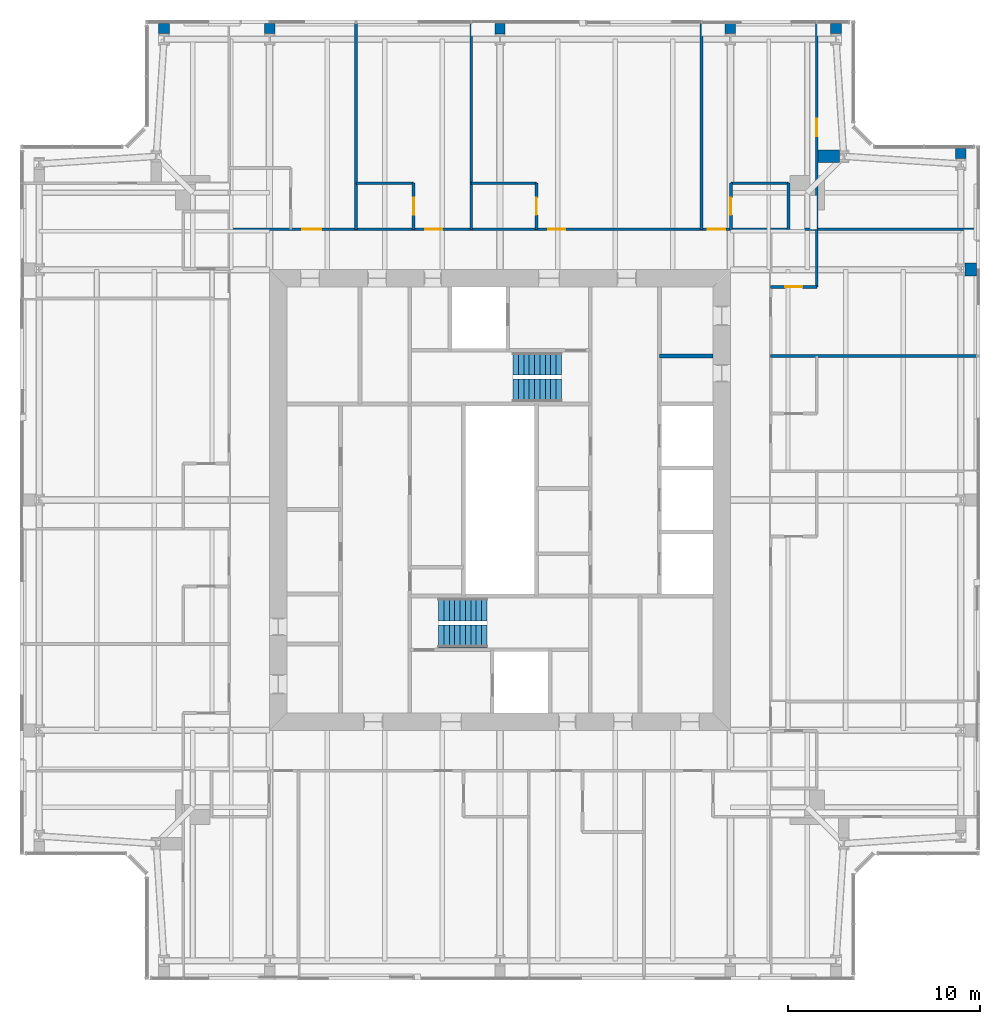
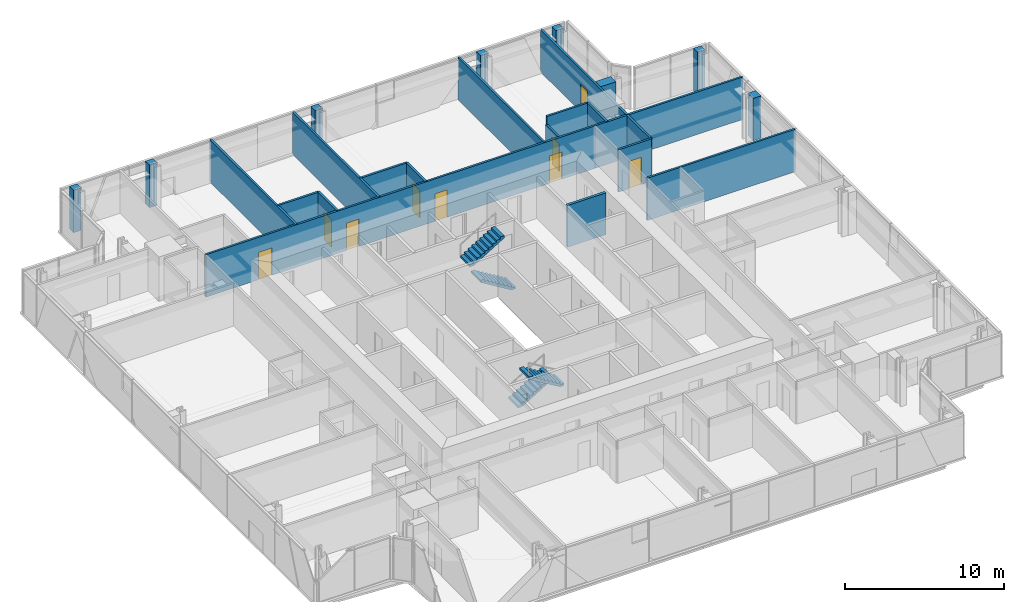
# One storey, part 15 of 18: 25 walls, 9 doors, 4 stair flights, 9 openings, 2 elements without a shape of their own.
"""IFC4 building model written with IfcOpenShell, lengths in metres."""

from ifc_helpers import new_model, si_unit, direction, frame, frame_2d, origin, place, context, subcontext, project, spatial, polyline, rectangle, outline, extrude, material, layer, layer_set, type_object, element, fill, aggregate, save


model = new_model("IFC4")

# Units and contexts
model_context = context("Model", 3, precision=1e-05, world=origin(), true_north=direction((0.0, 1.0)))
body_context = subcontext(model_context, "Body", "Model", "MODEL_VIEW")
ifc_project = project(units=[si_unit("LENGTHUNIT", "METRE"), si_unit("AREAUNIT", "SQUARE_METRE"), si_unit("VOLUMEUNIT", "CUBIC_METRE"), si_unit("PLANEANGLEUNIT", "RADIAN"), si_unit("MASSUNIT", "GRAM", prefix="KILO")], contexts=[model_context])

# Site, building, storey
site_placement = place(None, origin())
site = spatial("IfcSite", under=ifc_project, at=site_placement, CompositionType="ELEMENT")
building_placement = place(site_placement, origin())
building = spatial("IfcBuilding", under=site, at=building_placement, Name="Fenwick Lantern Interchange", CompositionType="ELEMENT")
storey_placement = place(building_placement, frame((0.0, 0.0, 262.800048828125)))
storey = spatial("IfcBuildingStorey", under=building, at=storey_placement, Name="L62", CompositionType="ELEMENT", Elevation=262.800048828125)

# Walls
ifc_material_1 = material(Name="Fire-rated gypsum board encasement on steel studs, 2 hour", Category="steel")
ifc_layer_1 = layer(ifc_material_1, 0.5419921875)
ifc_layer_set_1 = layer_set([ifc_layer_1], Name="COLUMN PIER 542")
wall_type_1 = type_object("IfcWallType", Name="COLUMN PIER 542", PredefinedType="PARTITIONING", material=ifc_layer_set_1)
wall_1_placement = place(storey_placement, frame((25.0, 49.81005859375, 0.0), z_axis=(0.0, 0.0, 1.0), x_axis=(0.0, -1.0, 0.0)))
element("IfcWall", 1, at=wall_1_placement, inside=storey, type_object=wall_type_1, Name="L62/W/PIER/CN3", PredefinedType="PARTITIONING", context=body_context, shape_type="SweptSolid", body=[
    extrude(rectangle(XDim=0.544677734375, YDim=0.5419921875, at=frame_2d((0.2724609375, 0.0))), origin(), (0.0, 0.0, 1.0), 3.25),
])
ifc_layer_2 = layer(ifc_material_1, 0.554931640625)
ifc_layer_set_2 = layer_set([ifc_layer_2], Name="COLUMN PIER 555")
wall_type_2 = type_object("IfcWallType", Name="COLUMN PIER 555", PredefinedType="PARTITIONING", material=ifc_layer_set_2)
for number, where, z_axis, x_axis, name in (
    (2, (49.0, 43.31005859375, 0.0), (0.0, 0.0, 1.0), (0.0, -1.0, 0.0), "L62/W/PIER/CE5"),
    (3, (42.5, 49.81005859375, 0.0), (0.0, 0.0, 1.0), (0.0, -1.0, 0.0), "L62/W/PIER/CN1"),
    (4, (37.0, 49.81005859375, 0.0), (0.0, 0.0, 1.0), (0.0, -1.0, 0.0), "L62/W/PIER/CN2"),
    (5, (13.0, 49.81005859375, 0.0), (0.0, 0.0, 1.0), (0.0, -1.0, 0.0), "L62/W/PIER/CN4"),
    (6, (7.5, 49.81005859375, 0.0), (0.0, 0.0, 1.0), (0.0, -1.0, 0.0), "L62/W/PIER/CN5"),
):
    element("IfcWall", number, at=place(storey_placement, frame(where, z_axis=z_axis, x_axis=x_axis)), inside=storey, type_object=wall_type_2, Name=name, PredefinedType="PARTITIONING", context=body_context, shape_type="SweptSolid", body=[
        extrude(rectangle(XDim=0.525634765625, YDim=0.554931640625, at=frame_2d((0.2626953125, 0.0))), origin(), (0.0, 0.0, 1.0), 3.25),
    ])
ifc_layer_3 = layer(ifc_material_1, 0.6689453125)
ifc_layer_set_3 = layer_set([ifc_layer_3], Name="COLUMN PIER 669")
wall_type_3 = type_object("IfcWallType", Name="COLUMN PIER 669", PredefinedType="PARTITIONING", material=ifc_layer_set_3)
wall_2_placement = place(storey_placement, frame((49.81005859375, 37.0, 0.0), z_axis=(0.0, 0.0, 1.0), x_axis=(-1.0, 0.0, 0.0)))
element("IfcWall", 7, at=wall_2_placement, inside=storey, type_object=wall_type_3, Name="L62/W/PIER/CE4", PredefinedType="PARTITIONING", context=body_context, shape_type="SweptSolid", body=[
    extrude(rectangle(XDim=0.582763671875, YDim=0.6689453125, at=frame_2d((0.29150390625, 0.0))), origin(), (0.0, 0.0, 1.0), 3.25),
])
wall_3_placement = place(storey_placement, frame((41.574951171875, 42.89990234375, 0.0), z_axis=(0.0, 0.0, 1.0), x_axis=(1.0, 0.0, 0.0)))
element("IfcWall", 8, at=wall_3_placement, inside=storey, type_object=wall_type_3, Name="L62/W/PIER/CER", PredefinedType="PARTITIONING", context=body_context, shape_type="SweptSolid", body=[
    extrude(rectangle(XDim=1.09765625, YDim=0.6689453125, at=frame_2d((0.548828125, 0.0))), origin(), (0.0, 0.0, 1.0), 3.25),
])
ifc_material_2 = material(Name="Concrete masonry ASTM C90 Grade N", Category="masonry")
ifc_layer_4 = layer(ifc_material_2, 0.199951171875)
ifc_layer_set_4 = layer_set([ifc_layer_4], Name="Concrete masonry ASTM C90 Grade N")
wall_type_4 = type_object("IfcWallType", Name="CORE PARTITION 200", PredefinedType="PARTITIONING", material=ifc_layer_set_4)
wall_4_placement = place(storey_placement, frame((36.10009765625, 32.5, 0.0), z_axis=(0.0, 0.0, 1.0), x_axis=(-1.0, 0.0, 0.0)))
element("IfcWall", 9, at=wall_4_placement, inside=storey, type_object=wall_type_4, Name="L62/W/COREN/p1", PredefinedType="PARTITIONING", context=body_context, shape_type="SweptSolid", body=[
    extrude(rectangle(XDim=2.800048828125, YDim=0.199951171875, at=frame_2d((1.39990234375, 0.0))), origin(), (0.0, 0.0, 1.0), 3.199951171875),
])

# Wall, openings, doors
ifc_material_3 = material(Name="Gypsum board on steel studs, 1 hour", Category="steel")
ifc_layer_5 = layer(ifc_material_3, 0.14990234375)
ifc_layer_set_5 = layer_set([ifc_layer_5], Name="CORRIDOR WALL 150")
wall_type_5 = type_object("IfcWallType", Name="CORRIDOR WALL 150", PredefinedType="PARTITIONING", material=ifc_layer_set_5)
wall_5_placement = place(storey_placement, frame((39.10009765625, 39.10009765625, 0.0), z_axis=(0.0, 0.0, 1.0), x_axis=(-1.0, 0.0, 0.0)))
wall_5 = element("IfcWall", 10, at=wall_5_placement, inside=storey, type_object=wall_type_5, Name="L62/W/HOTEL/N/CW", PredefinedType="PARTITIONING", context=body_context, shape_type="SweptSolid", body=[
    extrude(rectangle(XDim=28.2001953125, YDim=0.14990234375, at=frame_2d((14.10009765625, 0.0))), origin(), (0.0, 0.0, 1.0), 3.25),
])
opening_1_placement = place(wall_5_placement, frame((2.375, 0.0, 0.0)))
opening_1 = element("IfcOpeningElement", 11, at=opening_1_placement, cuts=wall_5, Name="Opening L62-D044", PredefinedType="OPENING", context=body_context, shape_type="SweptSolid", body=[
    extrude(rectangle(XDim=0.89990234375, YDim=2.10009765625, at=frame_2d((0.449951171875, 1.050048828125))), frame((0.0, 0.0849609375, 0.0), z_axis=(0.0, -1.0, 0.0), x_axis=(1.0, 0.0, 0.0)), (0.0, 0.0, 1.0), 0.169921875),
])
opening_2_placement = place(wall_5_placement, frame((10.699951171875, 0.0, 0.0)))
opening_2 = element("IfcOpeningElement", 12, at=opening_2_placement, cuts=wall_5, Name="Opening L62-D046", PredefinedType="OPENING", context=body_context, shape_type="SweptSolid", body=[
    extrude(rectangle(XDim=0.89990234375, YDim=2.10009765625, at=frame_2d((0.449951171875, 1.050048828125))), frame((0.0, 0.0849609375, 0.0), z_axis=(0.0, -1.0, 0.0), x_axis=(1.0, 0.0, 0.0)), (0.0, 0.0, 1.0), 0.169921875),
])
opening_3_placement = place(wall_5_placement, frame((17.10009765625, 0.0, 0.0)))
opening_3 = element("IfcOpeningElement", 13, at=opening_3_placement, cuts=wall_5, Name="Opening L62-D048", PredefinedType="OPENING", context=body_context, shape_type="SweptSolid", body=[
    extrude(rectangle(XDim=0.89990234375, YDim=2.10009765625, at=frame_2d((0.449951171875, 1.050048828125))), frame((0.0, 0.0849609375, 0.0), z_axis=(0.0, -1.0, 0.0), x_axis=(1.0, 0.0, 0.0)), (0.0, 0.0, 1.0), 0.169921875),
])
opening_4_placement = place(wall_5_placement, frame((23.39990234375, 0.0, 0.0)))
opening_4 = element("IfcOpeningElement", 14, at=opening_4_placement, cuts=wall_5, Name="Opening L62-D050", PredefinedType="OPENING", context=body_context, shape_type="SweptSolid", body=[
    extrude(rectangle(XDim=1.0, YDim=2.10009765625, at=frame_2d((0.5, 1.050048828125))), frame((0.0, 0.0849609375, 0.0), z_axis=(0.0, -1.0, 0.0), x_axis=(1.0, 0.0, 0.0)), (0.0, 0.0, 1.0), 0.169921875),
])
ifc_material_4 = material(Name="Steel door and frame", Category="steel")
door_type_1 = type_object("IfcDoorType", Name="GUEST ROOM DOOR 1000 X 2100", OperationType="SINGLE_SWING_LEFT", PredefinedType="DOOR", material=ifc_material_4)
door_1_placement = place(opening_4_placement, frame((1.0, 0.0, 0.0), z_axis=(0.0, 0.0, 1.0), x_axis=(-1.0, 0.0, 0.0)))
door_1 = element("IfcDoor", 15, at=door_1_placement, inside=storey, type_object=door_type_1, Name="Guest room door", OperationType="SINGLE_SWING_LEFT", OverallHeight=2.10009765625, OverallWidth=1.0, PredefinedType="DOOR", context=body_context, shape_type="SweptSolid", body=[
    extrude(rectangle(XDim=1.0, YDim=2.10009765625, at=frame_2d((0.5, 1.050048828125))), frame((0.0, 0.02490234375, 0.0), z_axis=(0.0, -1.0, 0.0), x_axis=(1.0, 0.0, 0.0)), (0.0, 0.0, 1.0), 0.050048828125),
])
fill(opening_4, door_1)
door_type_2 = type_object("IfcDoorType", Name="GUEST ROOM DOOR 900 X 2100", OperationType="SINGLE_SWING_LEFT", PredefinedType="DOOR", material=ifc_material_4)
door_2_placement = place(opening_1_placement, frame((0.89990234375, 0.0, 0.0), z_axis=(0.0, 0.0, 1.0), x_axis=(-1.0, 0.0, 0.0)))
door_2 = element("IfcDoor", 16, at=door_2_placement, inside=storey, type_object=door_type_2, Name="Guest room door", OperationType="SINGLE_SWING_RIGHT", OverallHeight=2.10009765625, OverallWidth=0.89990234375, PredefinedType="DOOR", context=body_context, shape_type="SweptSolid", body=[
    extrude(rectangle(XDim=0.89990234375, YDim=2.10009765625, at=frame_2d((0.449951171875, 1.050048828125))), frame((0.0, 0.02490234375, 0.0), z_axis=(0.0, -1.0, 0.0), x_axis=(1.0, 0.0, 0.0)), (0.0, 0.0, 1.0), 0.050048828125),
])
fill(opening_1, door_2)
door_3_placement = place(opening_2_placement, frame((0.89990234375, 0.0, 0.0), z_axis=(0.0, 0.0, 1.0), x_axis=(-1.0, 0.0, 0.0)))
door_3 = element("IfcDoor", 17, at=door_3_placement, inside=storey, type_object=door_type_2, Name="Guest room door", OperationType="SINGLE_SWING_LEFT", OverallHeight=2.10009765625, OverallWidth=0.89990234375, PredefinedType="DOOR", context=body_context, shape_type="SweptSolid", body=[
    extrude(rectangle(XDim=0.89990234375, YDim=2.10009765625, at=frame_2d((0.449951171875, 1.050048828125))), frame((0.0, 0.02490234375, 0.0), z_axis=(0.0, -1.0, 0.0), x_axis=(1.0, 0.0, 0.0)), (0.0, 0.0, 1.0), 0.050048828125),
])
fill(opening_2, door_3)
door_4_placement = place(opening_3_placement, frame((0.89990234375, 0.0, 0.0), z_axis=(0.0, 0.0, 1.0), x_axis=(-1.0, 0.0, 0.0)))
door_4 = element("IfcDoor", 18, at=door_4_placement, inside=storey, type_object=door_type_2, Name="Guest room door", OperationType="SINGLE_SWING_LEFT", OverallHeight=2.10009765625, OverallWidth=0.89990234375, PredefinedType="DOOR", context=body_context, shape_type="SweptSolid", body=[
    extrude(rectangle(XDim=0.89990234375, YDim=2.10009765625, at=frame_2d((0.449951171875, 1.050048828125))), frame((0.0, 0.02490234375, 0.0), z_axis=(0.0, -1.0, 0.0), x_axis=(1.0, 0.0, 0.0)), (0.0, 0.0, 1.0), 0.050048828125),
])
fill(opening_3, door_4)

# Wall
ifc_material_5 = material(Name="Gypsum board on steel studs, moisture resistant", Category="steel")
ifc_layer_6 = layer(ifc_material_5, 0.14990234375)
ifc_layer_set_6 = layer_set([ifc_layer_6], Name="EN-SUITE WALL 150")
wall_type_6 = type_object("IfcWallType", Name="EN-SUITE WALL 150", PredefinedType="PARTITIONING", material=ifc_layer_set_6)
wall_6_placement = place(storey_placement, frame((41.5, 36.10009765625, 0.0), z_axis=(0.0, 0.0, 1.0), x_axis=(0.0, 1.0, 0.0)))
element("IfcWall", 19, at=wall_6_placement, inside=storey, type_object=wall_type_6, Name="L62/W/HOTEL/E/U4BW", PredefinedType="PARTITIONING", context=body_context, shape_type="SweptSolid", body=[
    extrude(rectangle(XDim=3.0, YDim=0.14990234375, at=frame_2d((1.5, 0.0))), origin(), (0.0, 0.0, 1.0), 3.25),
])

# Wall, opening, door
wall_7_placement = place(storey_placement, frame((41.5, 36.10009765625, 0.0), z_axis=(0.0, 0.0, 1.0), x_axis=(-1.0, 0.0, 0.0)))
wall_7 = element("IfcWall", 20, at=wall_7_placement, inside=storey, type_object=wall_type_6, Name="L62/W/HOTEL/E/U4BX", PredefinedType="PARTITIONING", context=body_context, shape_type="SweptSolid", body=[
    extrude(rectangle(XDim=2.39990234375, YDim=0.14990234375, at=frame_2d((1.199951171875, 0.0))), origin(), (0.0, 0.0, 1.0), 3.25),
])
opening_5_placement = place(wall_7_placement, frame((0.75, 0.0, 0.0)))
opening_5 = element("IfcOpeningElement", 21, at=opening_5_placement, cuts=wall_7, Name="Opening L62-D040", PredefinedType="OPENING", context=body_context, shape_type="SweptSolid", body=[
    extrude(rectangle(XDim=0.89990234375, YDim=2.10009765625, at=frame_2d((0.449951171875, 1.050048828125))), frame((0.0, 0.0849609375, 0.0), z_axis=(0.0, -1.0, 0.0), x_axis=(1.0, 0.0, 0.0)), (0.0, 0.0, 1.0), 0.169921875),
])
ifc_material_6 = material(Name="Hardwood door and steel frame", Category="steel")
door_type_3 = type_object("IfcDoorType", Name="EN-SUITE DOOR 900 X 2100", OperationType="SINGLE_SWING_LEFT", PredefinedType="DOOR", material=ifc_material_6)
door_5_placement = place(opening_5_placement, frame((0.89990234375, 0.0, 0.0), z_axis=(0.0, 0.0, 1.0), x_axis=(-1.0, 0.0, 0.0)))
door_5 = element("IfcDoor", 22, at=door_5_placement, inside=storey, type_object=door_type_3, Name="En-suite door", OperationType="SINGLE_SWING_RIGHT", OverallHeight=2.10009765625, OverallWidth=0.89990234375, PredefinedType="DOOR", context=body_context, shape_type="SweptSolid", body=[
    extrude(rectangle(XDim=0.89990234375, YDim=2.10009765625, at=frame_2d((0.449951171875, 1.050048828125))), frame((0.0, 0.02490234375, 0.0), z_axis=(0.0, -1.0, 0.0), x_axis=(1.0, 0.0, 0.0)), (0.0, 0.0, 1.0), 0.050048828125),
])
fill(opening_5, door_5)

# Wall
wall_8_placement = place(storey_placement, frame((40.02490234375, 41.5, 0.0), z_axis=(0.0, 0.0, 1.0), x_axis=(-1.0, 0.0, 0.0)))
element("IfcWall", 23, at=wall_8_placement, inside=storey, type_object=wall_type_6, Name="L62/W/HOTEL/N/U1BW", PredefinedType="PARTITIONING", context=body_context, shape_type="SweptSolid", body=[
    extrude(rectangle(XDim=3.0, YDim=0.14990234375, at=frame_2d((1.5, 0.0))), origin(), (0.0, 0.0, 1.0), 3.25),
])

# Wall, opening, door
wall_9_placement = place(storey_placement, frame((37.02490234375, 41.5, 0.0), z_axis=(0.0, 0.0, 1.0), x_axis=(0.0, -1.0, 0.0)))
wall_9 = element("IfcWall", 24, at=wall_9_placement, inside=storey, type_object=wall_type_6, Name="L62/W/HOTEL/N/U1BX", PredefinedType="PARTITIONING", context=body_context, shape_type="SweptSolid", body=[
    extrude(rectangle(XDim=2.39990234375, YDim=0.14990234375, at=frame_2d((1.199951171875, 0.0))), origin(), (0.0, 0.0, 1.0), 2.627685546875),
])
opening_6_placement = place(wall_9_placement, frame((0.75, 0.0, 0.0)))
opening_6 = element("IfcOpeningElement", 25, at=opening_6_placement, cuts=wall_9, Name="Opening L62-D042", PredefinedType="OPENING", context=body_context, shape_type="SweptSolid", body=[
    extrude(rectangle(XDim=0.89990234375, YDim=2.10009765625, at=frame_2d((0.449951171875, 1.050048828125))), frame((0.0, 0.0849609375, 0.0), z_axis=(0.0, -1.0, 0.0), x_axis=(1.0, 0.0, 0.0)), (0.0, 0.0, 1.0), 0.169921875),
])
door_6_placement = place(opening_6_placement, origin())
door_6 = element("IfcDoor", 26, at=door_6_placement, inside=storey, type_object=door_type_3, Name="En-suite door", OperationType="SINGLE_SWING_LEFT", OverallHeight=2.10009765625, OverallWidth=0.89990234375, PredefinedType="DOOR", context=body_context, shape_type="SweptSolid", body=[
    extrude(rectangle(XDim=0.89990234375, YDim=2.10009765625, at=frame_2d((0.449951171875, 1.050048828125))), frame((0.0, 0.02490234375, 0.0), z_axis=(0.0, -1.0, 0.0), x_axis=(1.0, 0.0, 0.0)), (0.0, 0.0, 1.0), 0.050048828125),
])
fill(opening_6, door_6)

# Walls
wall_10_placement = place(storey_placement, frame((40.02490234375, 41.5, 0.0), z_axis=(0.0, 0.0, 1.0), x_axis=(0.0, -1.0, 0.0)))
element("IfcWall", 27, at=wall_10_placement, inside=storey, type_object=wall_type_6, Name="L62/W/HOTEL/N/U1BV", PredefinedType="PARTITIONING", context=body_context, shape_type="SweptSolid", body=[
    extrude(rectangle(XDim=2.39990234375, YDim=0.14990234375, at=frame_2d((1.199951171875, 0.0))), origin(), (0.0, 0.0, 1.0), 3.25),
])
wall_11_placement = place(storey_placement, frame((26.89990234375, 41.5, 0.0), z_axis=(0.0, 0.0, 1.0), x_axis=(-1.0, 0.0, 0.0)))
element("IfcWall", 28, at=wall_11_placement, inside=storey, type_object=wall_type_6, Name="L62/W/HOTEL/N/U2BW", PredefinedType="PARTITIONING", context=body_context, shape_type="SweptSolid", body=[
    extrude(rectangle(XDim=3.39990234375, YDim=0.14990234375, at=frame_2d((1.699951171875, 0.0))), origin(), (0.0, 0.0, 1.0), 3.25),
])

# Wall, opening, door
wall_12_placement = place(storey_placement, frame((26.89990234375, 41.5, 0.0), z_axis=(0.0, 0.0, 1.0), x_axis=(0.0, -1.0, 0.0)))
wall_12 = element("IfcWall", 29, at=wall_12_placement, inside=storey, type_object=wall_type_6, Name="L62/W/HOTEL/N/U2BX", PredefinedType="PARTITIONING", context=body_context, shape_type="SweptSolid", body=[
    extrude(rectangle(XDim=2.39990234375, YDim=0.14990234375, at=frame_2d((1.199951171875, 0.0))), origin(), (0.0, 0.0, 1.0), 3.25),
])
opening_7_placement = place(wall_12_placement, frame((0.75, 0.0, 0.0)))
opening_7 = element("IfcOpeningElement", 30, at=opening_7_placement, cuts=wall_12, Name="Opening L62-D045", PredefinedType="OPENING", context=body_context, shape_type="SweptSolid", body=[
    extrude(rectangle(XDim=0.89990234375, YDim=2.10009765625, at=frame_2d((0.449951171875, 1.050048828125))), frame((0.0, 0.0849609375, 0.0), z_axis=(0.0, -1.0, 0.0), x_axis=(1.0, 0.0, 0.0)), (0.0, 0.0, 1.0), 0.169921875),
])
door_7_placement = place(opening_7_placement, frame((0.89990234375, 0.0, 0.0), z_axis=(0.0, 0.0, 1.0), x_axis=(-1.0, 0.0, 0.0)))
door_7 = element("IfcDoor", 31, at=door_7_placement, inside=storey, type_object=door_type_3, Name="En-suite door", OperationType="SINGLE_SWING_RIGHT", OverallHeight=2.10009765625, OverallWidth=0.89990234375, PredefinedType="DOOR", context=body_context, shape_type="SweptSolid", body=[
    extrude(rectangle(XDim=0.89990234375, YDim=2.10009765625, at=frame_2d((0.449951171875, 1.050048828125))), frame((0.0, 0.02490234375, 0.0), z_axis=(0.0, -1.0, 0.0), x_axis=(1.0, 0.0, 0.0)), (0.0, 0.0, 1.0), 0.050048828125),
])
fill(opening_7, door_7)

# Wall
wall_13_placement = place(storey_placement, frame((20.5, 41.5, 0.0), z_axis=(0.0, 0.0, 1.0), x_axis=(-1.0, 0.0, 0.0)))
element("IfcWall", 32, at=wall_13_placement, inside=storey, type_object=wall_type_6, Name="L62/W/HOTEL/N/U3BW", PredefinedType="PARTITIONING", context=body_context, shape_type="SweptSolid", body=[
    extrude(rectangle(XDim=3.0, YDim=0.14990234375, at=frame_2d((1.5, 0.0))), origin(), (0.0, 0.0, 1.0), 3.25),
])

# Wall, opening, door
wall_14_placement = place(storey_placement, frame((20.5, 41.5, 0.0), z_axis=(0.0, 0.0, 1.0), x_axis=(0.0, -1.0, 0.0)))
wall_14 = element("IfcWall", 33, at=wall_14_placement, inside=storey, type_object=wall_type_6, Name="L62/W/HOTEL/N/U3BX", PredefinedType="PARTITIONING", context=body_context, shape_type="SweptSolid", body=[
    extrude(rectangle(XDim=2.39990234375, YDim=0.14990234375, at=frame_2d((1.199951171875, 0.0))), origin(), (0.0, 0.0, 1.0), 3.25),
])
opening_8_placement = place(wall_14_placement, frame((0.75, 0.0, 0.0)))
opening_8 = element("IfcOpeningElement", 34, at=opening_8_placement, cuts=wall_14, Name="Opening L62-D047", PredefinedType="OPENING", context=body_context, shape_type="SweptSolid", body=[
    extrude(rectangle(XDim=0.89990234375, YDim=2.10009765625, at=frame_2d((0.449951171875, 1.050048828125))), frame((0.0, 0.0849609375, 0.0), z_axis=(0.0, -1.0, 0.0), x_axis=(1.0, 0.0, 0.0)), (0.0, 0.0, 1.0), 0.169921875),
])
door_8_placement = place(opening_8_placement, frame((0.89990234375, 0.0, 0.0), z_axis=(0.0, 0.0, 1.0), x_axis=(-1.0, 0.0, 0.0)))
door_8 = element("IfcDoor", 35, at=door_8_placement, inside=storey, type_object=door_type_3, Name="En-suite door", OperationType="SINGLE_SWING_RIGHT", OverallHeight=2.10009765625, OverallWidth=0.89990234375, PredefinedType="DOOR", context=body_context, shape_type="SweptSolid", body=[
    extrude(rectangle(XDim=0.89990234375, YDim=2.10009765625, at=frame_2d((0.449951171875, 1.050048828125))), frame((0.0, 0.02490234375, 0.0), z_axis=(0.0, -1.0, 0.0), x_axis=(1.0, 0.0, 0.0)), (0.0, 0.0, 1.0), 0.050048828125),
])
fill(opening_8, door_8)

# Walls
ifc_material_7 = material(Name="Gypsum board on steel studs, 1 hour acoustic", Category="steel")
ifc_layer_7 = layer(ifc_material_7, 0.14990234375)
ifc_layer_set_7 = layer_set([ifc_layer_7], Name="PARTY WALL 150")
wall_type_7 = type_object("IfcWallType", Name="PARTY WALL 150", PredefinedType="PARTITIONING", material=ifc_layer_set_7)
for number, where, z_axis, x_axis, name in (
    (36, (49.85009765625, 32.5, 0.0), (0.0, 0.0, 1.0), (-1.0, 0.0, 0.0), "L62/W/HOTEL/E/U4PW"),
    (37, (49.85009765625, 39.10009765625, 0.0), (0.0, 0.0, 1.0), (-1.0, 0.0, 0.0), "L62/W/HOTEL/N/SW3"),
    (38, (35.5, 49.85009765625, 0.0), (0.0, 0.0, 1.0), (0.0, -1.0, 0.0), "L62/W/HOTEL/N/U2PW"),
    (39, (23.5, 49.85009765625, 0.0), (0.0, 0.0, 1.0), (0.0, -1.0, 0.0), "L62/W/HOTEL/N/U3PW"),
    (40, (17.5, 49.85009765625, 0.0), (0.0, 0.0, 1.0), (0.0, -1.0, 0.0), "L62/W/HOTEL/N/U4PW"),
):
    element("IfcWall", number, at=place(storey_placement, frame(where, z_axis=z_axis, x_axis=x_axis)), inside=storey, type_object=wall_type_7, Name=name, PredefinedType="PARTITIONING", context=body_context, shape_type="SweptSolid", body=[
        extrude(rectangle(XDim=10.75, YDim=0.14990234375, at=frame_2d((5.375, 0.0))), origin(), (0.0, 0.0, 1.0), 3.25),
    ])

# Wall, opening, door
ifc_material_8 = material(Name="Gypsum board on steel studs, acoustic", Category="steel")
ifc_layer_8 = layer(ifc_material_8, 0.14990234375)
ifc_layer_set_8 = layer_set([ifc_layer_8], Name="SUITE PARTITION 150")
wall_type_8 = type_object("IfcWallType", Name="SUITE PARTITION 150", PredefinedType="PARTITIONING", material=ifc_layer_set_8)
wall_15_placement = place(storey_placement, frame((41.5, 49.85009765625, 0.0), z_axis=(0.0, 0.0, 1.0), x_axis=(0.0, -1.0, 0.0)))
wall_15 = element("IfcWall", 41, at=wall_15_placement, inside=storey, type_object=wall_type_8, Name="L62/W/HOTEL/N/U1P", PredefinedType="PARTITIONING", context=body_context, shape_type="SweptSolid", body=[
    extrude(rectangle(XDim=10.75, YDim=0.14990234375, at=frame_2d((5.375, 0.0))), origin(), (0.0, 0.0, 1.0), 3.25),
])
opening_9_placement = place(wall_15_placement, frame((5.0, 0.0, 0.0)))
opening_9 = element("IfcOpeningElement", 42, at=opening_9_placement, cuts=wall_15, Name="Opening L62-D043", PredefinedType="OPENING", context=body_context, shape_type="SweptSolid", body=[
    extrude(rectangle(XDim=0.89990234375, YDim=2.10009765625, at=frame_2d((0.449951171875, 1.050048828125))), frame((0.0, 0.0849609375, 0.0), z_axis=(0.0, -1.0, 0.0), x_axis=(1.0, 0.0, 0.0)), (0.0, 0.0, 1.0), 0.169921875),
])
door_type_4 = type_object("IfcDoorType", Name="SUITE INTERNAL DOOR 900 X 2100", OperationType="SINGLE_SWING_LEFT", PredefinedType="DOOR", material=ifc_material_6)
door_9_placement = place(opening_9_placement, origin())
door_9 = element("IfcDoor", 43, at=door_9_placement, inside=storey, type_object=door_type_4, Name="Suite internal door", OperationType="SINGLE_SWING_RIGHT", OverallHeight=2.10009765625, OverallWidth=0.89990234375, PredefinedType="DOOR", context=body_context, shape_type="SweptSolid", body=[
    extrude(rectangle(XDim=0.89990234375, YDim=2.10009765625, at=frame_2d((0.449951171875, 1.050048828125))), frame((0.0, 0.02490234375, 0.0), z_axis=(0.0, -1.0, 0.0), x_axis=(1.0, 0.0, 0.0)), (0.0, 0.0, 1.0), 0.050048828125),
])
fill(opening_9, door_9)

# Stair, stair flights
ifc_material_9 = material(Name="Precast concrete f'c 35 MPa", Category="concrete")
stair_type = type_object("IfcStairType", Name="EXIT STAIR 1200", PredefinedType="HALF_TURN_STAIR", material=ifc_material_9)
stair_1_placement = place(storey_placement, origin())
stair_1 = element("IfcStair", 44, at=stair_1_placement, inside=storey, type_object=stair_type, Name="Exit stair ST1", PredefinedType="HALF_TURN_STAIR")
stair_flight_type = type_object("IfcStairFlightType", Name="STAIR FLIGHT 1200", PredefinedType="STRAIGHT", material=ifc_material_9)
stair_flight_1_placement = place(storey_placement, frame((21.800048828125, 19.300048828125, 0.0), z_axis=(0.0, 0.0, 1.0), x_axis=(1.0, 0.0, 0.0)))
stair_flight_1 = element("IfcStairFlight", 45, at=stair_flight_1_placement, type_object=stair_flight_type, Name="ST1 flight 1", NumberOfRisers=10, NumberOfTreads=9, PredefinedType="STRAIGHT", RiserHeight=0.17, TreadLength=0.28, context=body_context, shape_type="SweptSolid", body=[
    extrude(outline(polyline([(0.0, 0.0), (0.0, 0.169921875), (0.280029296875, 0.169921875), (0.280029296875, 0.340087890625), (0.56005859375, 0.340087890625), (0.56005859375, 0.510009765625), (0.840087890625, 0.510009765625), (0.840087890625, 0.679931640625), (1.1201171875, 0.679931640625), (1.1201171875, 0.85009765625), (1.39990234375, 0.85009765625), (1.39990234375, 1.02001953125), (1.679931640625, 1.02001953125), (1.679931640625, 1.18994140625), (1.9599609375, 1.18994140625), (1.9599609375, 1.360107421875), (2.239990234375, 1.360107421875), (2.239990234375, 1.530029296875), (2.52001953125, 1.530029296875), (2.52001953125, 1.699951171875), (2.52001953125, 1.354736328125), (0.288818359375, 0.0), (0.0, 0.0)])), frame((0.0, 0.60009765625, 0.0), z_axis=(0.0, -1.0, 0.0), x_axis=(1.0, 0.0, 0.0)), (0.0, 0.0, 1.0), 1.199951171875),
])
stair_flight_2_placement = place(storey_placement, frame((24.320068359375, 17.89990234375, 1.699951171875), z_axis=(0.0, 0.0, 1.0), x_axis=(-1.0, 0.0, 0.0)))
stair_flight_2 = element("IfcStairFlight", 46, at=stair_flight_2_placement, type_object=stair_flight_type, Name="ST1 flight 2", NumberOfRisers=10, NumberOfTreads=9, PredefinedType="STRAIGHT", RiserHeight=0.17, TreadLength=0.28, context=body_context, shape_type="SweptSolid", body=[
    extrude(outline(polyline([(0.0, 0.0), (0.0, 0.169921875), (0.280029296875, 0.169921875), (0.280029296875, 0.340087890625), (0.56005859375, 0.340087890625), (0.56005859375, 0.510009765625), (0.840087890625, 0.510009765625), (0.840087890625, 0.679931640625), (1.1201171875, 0.679931640625), (1.1201171875, 0.85009765625), (1.39990234375, 0.85009765625), (1.39990234375, 1.02001953125), (1.679931640625, 1.02001953125), (1.679931640625, 1.18994140625), (1.9599609375, 1.18994140625), (1.9599609375, 1.360107421875), (2.239990234375, 1.360107421875), (2.239990234375, 1.530029296875), (2.52001953125, 1.530029296875), (2.52001953125, 1.699951171875), (2.52001953125, 1.354736328125), (0.288818359375, 0.0), (0.0, 0.0)])), frame((0.0, 0.60009765625, 0.0), z_axis=(0.0, -1.0, 0.0), x_axis=(1.0, 0.0, 0.0)), (0.0, 0.0, 1.0), 1.199951171875),
])
aggregate(stair_1, [stair_flight_1, stair_flight_2])

stair_2_placement = place(storey_placement, origin())
stair_2 = element("IfcStair", 47, at=stair_2_placement, inside=storey, type_object=stair_type, Name="Exit stair ST2", PredefinedType="HALF_TURN_STAIR")
stair_flight_3_placement = place(storey_placement, frame((28.199951171875, 30.699951171875, 0.0), z_axis=(0.0, 0.0, 1.0), x_axis=(-1.0, 0.0, 0.0)))
stair_flight_3 = element("IfcStairFlight", 48, at=stair_flight_3_placement, type_object=stair_flight_type, Name="ST2 flight 1", NumberOfRisers=10, NumberOfTreads=9, PredefinedType="STRAIGHT", RiserHeight=0.17, TreadLength=0.28, context=body_context, shape_type="SweptSolid", body=[
    extrude(outline(polyline([(0.0, 0.0), (0.0, 0.169921875), (0.280029296875, 0.169921875), (0.280029296875, 0.340087890625), (0.56005859375, 0.340087890625), (0.56005859375, 0.510009765625), (0.840087890625, 0.510009765625), (0.840087890625, 0.679931640625), (1.1201171875, 0.679931640625), (1.1201171875, 0.85009765625), (1.39990234375, 0.85009765625), (1.39990234375, 1.02001953125), (1.679931640625, 1.02001953125), (1.679931640625, 1.18994140625), (1.9599609375, 1.18994140625), (1.9599609375, 1.360107421875), (2.239990234375, 1.360107421875), (2.239990234375, 1.530029296875), (2.52001953125, 1.530029296875), (2.52001953125, 1.699951171875), (2.52001953125, 1.354736328125), (0.288818359375, 0.0), (0.0, 0.0)])), frame((0.0, 0.60009765625, 0.0), z_axis=(0.0, -1.0, 0.0), x_axis=(1.0, 0.0, 0.0)), (0.0, 0.0, 1.0), 1.199951171875),
])
stair_flight_4_placement = place(storey_placement, frame((25.679931640625, 32.10009765625, 1.699951171875), z_axis=(0.0, 0.0, 1.0), x_axis=(1.0, 0.0, 0.0)))
stair_flight_4 = element("IfcStairFlight", 49, at=stair_flight_4_placement, type_object=stair_flight_type, Name="ST2 flight 2", NumberOfRisers=10, NumberOfTreads=9, PredefinedType="STRAIGHT", RiserHeight=0.17, TreadLength=0.28, context=body_context, shape_type="SweptSolid", body=[
    extrude(outline(polyline([(0.0, 0.0), (0.0, 0.169921875), (0.280029296875, 0.169921875), (0.280029296875, 0.340087890625), (0.56005859375, 0.340087890625), (0.56005859375, 0.510009765625), (0.840087890625, 0.510009765625), (0.840087890625, 0.679931640625), (1.1201171875, 0.679931640625), (1.1201171875, 0.85009765625), (1.39990234375, 0.85009765625), (1.39990234375, 1.02001953125), (1.679931640625, 1.02001953125), (1.679931640625, 1.18994140625), (1.9599609375, 1.18994140625), (1.9599609375, 1.360107421875), (2.239990234375, 1.360107421875), (2.239990234375, 1.530029296875), (2.52001953125, 1.530029296875), (2.52001953125, 1.699951171875), (2.52001953125, 1.354736328125), (0.288818359375, 0.0), (0.0, 0.0)])), frame((0.0, 0.60009765625, 0.0), z_axis=(0.0, -1.0, 0.0), x_axis=(1.0, 0.0, 0.0)), (0.0, 0.0, 1.0), 1.199951171875),
])
aggregate(stair_2, [stair_flight_3, stair_flight_4])

save(model, "model.ifc")
